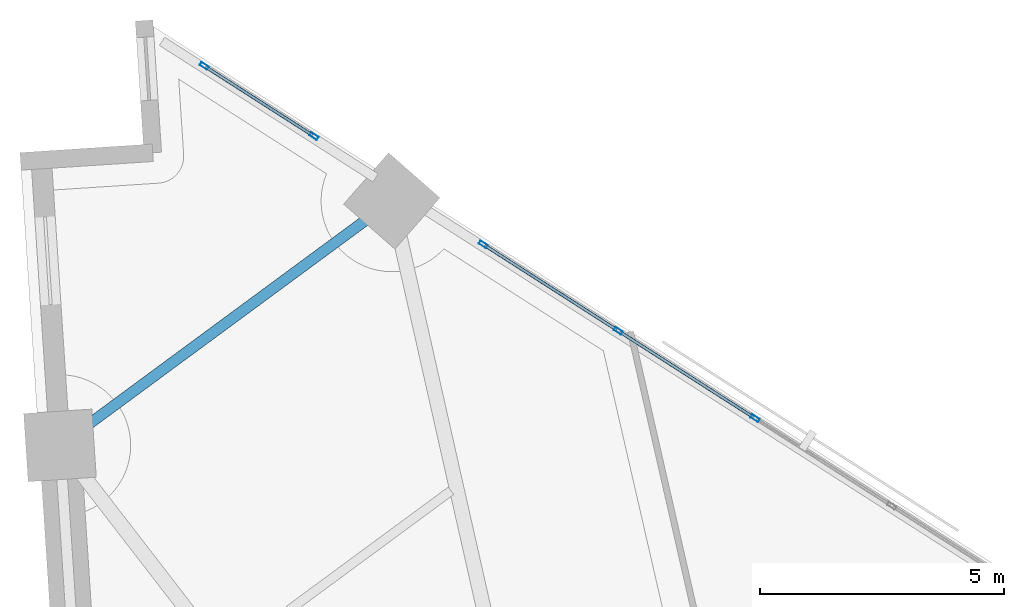
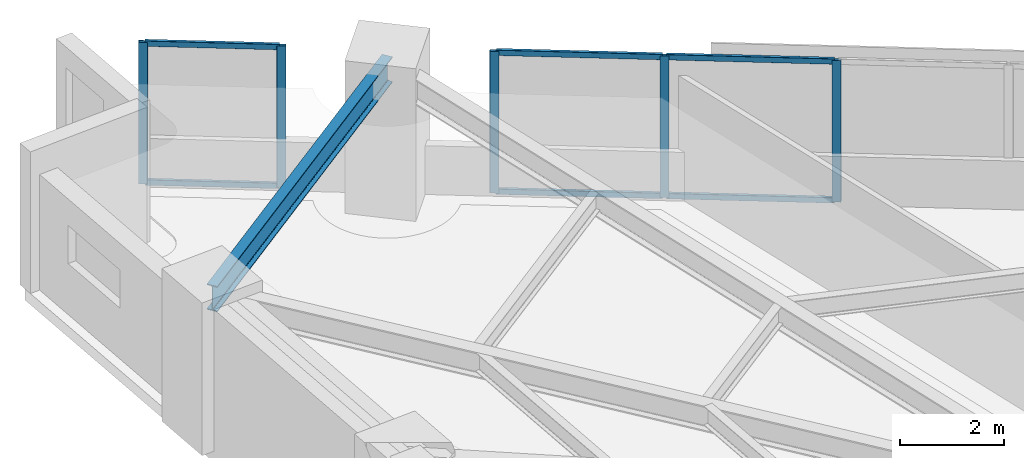
# One storey, part 8 of 15: 11 members, 1 beam, 2 elements without a shape of their own.
"""IFC4 building model written with IfcOpenShell, lengths in metres."""

from ifc_helpers import new_model, si_unit, direction, frame, origin, origin_2d, place, context, subcontext, project, spatial, hollow_rectangle, i_section, extrude, material, material_profile, profile_set, type_object, element, aggregate, save


model = new_model("IFC4")

# Units and contexts
model_context = context("Model", 3, precision=1e-05, world=origin(), true_north=direction((0.0, 1.0)))
body_context = subcontext(model_context, "Body", "Model", "MODEL_VIEW")
ifc_project = project(units=[si_unit("LENGTHUNIT", "METRE"), si_unit("AREAUNIT", "SQUARE_METRE"), si_unit("VOLUMEUNIT", "CUBIC_METRE"), si_unit("PLANEANGLEUNIT", "RADIAN"), si_unit("MASSUNIT", "GRAM", prefix="KILO")], contexts=[model_context])

# Site, building, storey
site_placement = place(None, origin())
site = spatial("IfcSite", under=ifc_project, at=site_placement, CompositionType="ELEMENT")
building_placement = place(site_placement, origin())
building = spatial("IfcBuilding", under=site, at=building_placement, Name="Narakoshi Arena Tower", CompositionType="ELEMENT")
storey_placement = place(building_placement, frame((0.0, 0.0, 70.5)))
storey = spatial("IfcBuildingStorey", under=building, at=storey_placement, Name="L18", CompositionType="ELEMENT", Elevation=70.5)

# Beam
ifc_material_1 = material(Name="Structural steel S355J2", Category="steel")
ifc_material_profile_1 = material_profile(ifc_material_1, i_section(OverallWidth=0.219970703125, OverallDepth=0.60009765625, WebThickness=0.011962890625, FlangeThickness=0.01904296875, FilletRadius=0.02392578125, at=origin_2d()), Name="IPE600")
ifc_profile_set_1 = profile_set([ifc_material_profile_1], Name="Structural steel S355J2")
beam_type = type_object("IfcBeamType", Name="BM-EDGE-600", PredefinedType="BEAM", material=ifc_profile_set_1)
beam_placement = place(storey_placement, frame((67.58984375, 76.04345703125, 3.0400390625), z_axis=(-0.805132069621, -0.59309556605, 0.0), x_axis=(0.59309556605, -0.805132069621, 0.0)))
element("IfcBeam", 1, at=beam_placement, inside=storey, type_object=beam_type, Name="L18 Perimeter Edge Girder 11", PredefinedType="BEAM", context=body_context, shape_type="SweptSolid", body=[
    extrude(i_section(OverallWidth=0.219970703125, OverallDepth=0.60009765625, WebThickness=0.011962890625, FlangeThickness=0.01904296875, FilletRadius=0.02392578125, at=origin_2d()), origin(), (0.0, 0.0, 1.0), 8.451416015625),
])

# Curtain wall, members
ifc_material_2 = material(Name="Anodised bronze aluminium 6063-T6", Category="aluminium")
curtain_wall_type = type_object("IfcCurtainWallType", Name="CW-HYP-LOW", PredefinedType="NOTDEFINED", material=ifc_material_2)
curtain_wall_1_placement = place(storey_placement, origin())
curtain_wall_1 = element("IfcCurtainWall", 2, at=curtain_wall_1_placement, inside=storey, type_object=curtain_wall_type, Name="L18 Folded Hypotenuse Curtain Wall 2-2", PredefinedType="NOTDEFINED")
ifc_material_profile_2 = material_profile(ifc_material_2, hollow_rectangle(XDim=0.074951171875, YDim=0.179931640625, WallThickness=0.00390625, OuterFilletRadius=0.0048828125, at=origin_2d()), Name="MUL180x75x4")
ifc_profile_set_2 = profile_set([ifc_material_profile_2], Name="Anodised bronze aluminium 6063-T6")
member_type_1 = type_object("IfcMemberType", Name="MEM-MUL-180", PredefinedType="MULLION", material=ifc_profile_set_2)
member_1_placement = place(storey_placement, frame((75.039794921875, 71.5869140625, 0.0), z_axis=(0.0, 0.0, 1.0), x_axis=(-0.538829098714, -0.842415100992, 0.0)))
member_1 = element("IfcMember", 3, at=member_1_placement, type_object=member_type_1, Name="CW-01 mullion 4", PredefinedType="MULLION", context=body_context, shape_type="SweptSolid", body=[
    extrude(hollow_rectangle(XDim=0.074951171875, YDim=0.179931640625, WallThickness=0.00390625, OuterFilletRadius=0.0048828125, at=origin_2d()), origin(), (0.0, 0.0, 1.0), 3.340087890625),
])
member_2_placement = place(storey_placement, frame((72.236083984375, 73.380126953125, 0.0), z_axis=(0.0, 0.0, 1.0), x_axis=(-0.538829098714, -0.842415100992, 0.0)))
member_2 = element("IfcMember", 4, at=member_2_placement, type_object=member_type_1, Name="CW-01 mullion 5", PredefinedType="MULLION", context=body_context, shape_type="SweptSolid", body=[
    extrude(hollow_rectangle(XDim=0.074951171875, YDim=0.179931640625, WallThickness=0.00390625, OuterFilletRadius=0.0048828125, at=origin_2d()), origin(), (0.0, 0.0, 1.0), 3.340087890625),
])
member_3_placement = place(storey_placement, frame((69.464111328125, 75.1533203125, 0.0), z_axis=(0.0, 0.0, 1.0), x_axis=(-0.538829098714, -0.842415100992, 0.0)))
member_3 = element("IfcMember", 5, at=member_3_placement, type_object=member_type_1, Name="CW-01 mullion 6", PredefinedType="MULLION", context=body_context, shape_type="SweptSolid", body=[
    extrude(hollow_rectangle(XDim=0.074951171875, YDim=0.179931640625, WallThickness=0.00390625, OuterFilletRadius=0.0048828125, at=origin_2d()), origin(), (0.0, 0.0, 1.0), 3.340087890625),
])

curtain_wall_2_placement = place(storey_placement, origin())
curtain_wall_2 = element("IfcCurtainWall", 6, at=curtain_wall_2_placement, inside=storey, type_object=curtain_wall_type, Name="L18 Folded Hypotenuse Curtain Wall 2-3", PredefinedType="NOTDEFINED")
member_4_placement = place(storey_placement, frame((65.99462890625, 77.372314453125, 0.0), z_axis=(0.0, 0.0, 1.0), x_axis=(-0.538841109017, -0.842407418791, 0.0)))
member_4 = element("IfcMember", 7, at=member_4_placement, type_object=member_type_1, Name="CW-01 mullion 1", PredefinedType="MULLION", context=body_context, shape_type="SweptSolid", body=[
    extrude(hollow_rectangle(XDim=0.074951171875, YDim=0.179931640625, WallThickness=0.00390625, OuterFilletRadius=0.0048828125, at=origin_2d()), origin(), (0.0, 0.0, 1.0), 3.340087890625),
])
member_5_placement = place(storey_placement, frame((63.7412109375, 78.813720703125, 0.0), z_axis=(0.0, 0.0, 1.0), x_axis=(-0.538841109017, -0.842407418791, 0.0)))
member_5 = element("IfcMember", 8, at=member_5_placement, type_object=member_type_1, Name="CW-01 mullion 2", PredefinedType="MULLION", context=body_context, shape_type="SweptSolid", body=[
    extrude(hollow_rectangle(XDim=0.074951171875, YDim=0.179931640625, WallThickness=0.00390625, OuterFilletRadius=0.0048828125, at=origin_2d()), origin(), (0.0, 0.0, 1.0), 3.340087890625),
])

# Member
ifc_material_profile_3 = material_profile(ifc_material_2, hollow_rectangle(XDim=0.06494140625, YDim=0.1298828125, WallThickness=0.00390625, OuterFilletRadius=0.0048828125, at=origin_2d()), Name="TRN130x65x4")
ifc_profile_set_3 = profile_set([ifc_material_profile_3], Name="Anodised bronze aluminium 6063-T6")
member_type_2 = type_object("IfcMemberType", Name="MEM-TRN-130", PredefinedType="USERDEFINED", material=ifc_profile_set_3)
member_6_placement = place(storey_placement, frame((75.00830078125, 71.60693359375, 0.032470703125), z_axis=(-0.842407668774, 0.5388407182, 0.0), x_axis=(-0.5388407182, -0.842407668774, 0.0)))
member_6 = element("IfcMember", 9, at=member_6_placement, type_object=member_type_2, Name="CW-01 transom 4.1", ObjectType="TRANSOM", PredefinedType="USERDEFINED", context=body_context, shape_type="SweptSolid", body=[
    extrude(hollow_rectangle(XDim=0.06494140625, YDim=0.1298828125, WallThickness=0.00390625, OuterFilletRadius=0.0048828125, at=origin_2d()), origin(), (0.0, 0.0, 1.0), 3.253173828125),
])

member_7_placement = place(storey_placement, frame((75.00830078125, 71.60693359375, 3.3076171875), z_axis=(-0.842407668774, 0.5388407182, 0.0), x_axis=(-0.5388407182, -0.842407668774, 0.0)))
member_7 = element("IfcMember", 10, at=member_7_placement, type_object=member_type_2, Name="CW-01 transom 4.2", ObjectType="TRANSOM", PredefinedType="USERDEFINED", context=body_context, shape_type="SweptSolid", body=[
    extrude(hollow_rectangle(XDim=0.06494140625, YDim=0.1298828125, WallThickness=0.00390625, OuterFilletRadius=0.0048828125, at=origin_2d()), origin(), (0.0, 0.0, 1.0), 3.253173828125),
])

member_8_placement = place(storey_placement, frame((72.20458984375, 73.400390625, 0.032470703125), z_axis=(-0.842424416084, 0.538814535053, 0.0), x_axis=(-0.538814535053, -0.842424416084, 0.0)))
member_8 = element("IfcMember", 11, at=member_8_placement, type_object=member_type_2, Name="CW-01 transom 5.1", ObjectType="TRANSOM", PredefinedType="USERDEFINED", context=body_context, shape_type="SweptSolid", body=[
    extrude(hollow_rectangle(XDim=0.06494140625, YDim=0.1298828125, WallThickness=0.00390625, OuterFilletRadius=0.0048828125, at=origin_2d()), origin(), (0.0, 0.0, 1.0), 3.2158203125),
])

member_9_placement = place(storey_placement, frame((72.20458984375, 73.400390625, 3.3076171875), z_axis=(-0.842424416084, 0.538814535053, 0.0), x_axis=(-0.538814535053, -0.842424416084, 0.0)))
member_9 = element("IfcMember", 12, at=member_9_placement, type_object=member_type_2, Name="CW-01 transom 5.2", ObjectType="TRANSOM", PredefinedType="USERDEFINED", context=body_context, shape_type="SweptSolid", body=[
    extrude(hollow_rectangle(XDim=0.06494140625, YDim=0.1298828125, WallThickness=0.00390625, OuterFilletRadius=0.0048828125, at=origin_2d()), origin(), (0.0, 0.0, 1.0), 3.2158203125),
])

aggregate(curtain_wall_1, [member_1, member_2, member_3, member_6, member_7, member_8, member_9])

member_10_placement = place(storey_placement, frame((65.963134765625, 77.392578125, 0.032470703125), z_axis=(-0.84237541022, 0.538891146946, 0.0), x_axis=(-0.538891146946, -0.84237541022, 0.0)))
member_10 = element("IfcMember", 13, at=member_10_placement, type_object=member_type_2, Name="CW-01 transom 1.1", ObjectType="TRANSOM", PredefinedType="USERDEFINED", context=body_context, shape_type="SweptSolid", body=[
    extrude(hollow_rectangle(XDim=0.06494140625, YDim=0.1298828125, WallThickness=0.00390625, OuterFilletRadius=0.0048828125, at=origin_2d()), origin(), (0.0, 0.0, 1.0), 2.60009765625),
])

member_11_placement = place(storey_placement, frame((65.963134765625, 77.392578125, 3.3076171875), z_axis=(-0.84237541022, 0.538891146946, 0.0), x_axis=(-0.538891146946, -0.84237541022, 0.0)))
member_11 = element("IfcMember", 14, at=member_11_placement, type_object=member_type_2, Name="CW-01 transom 1.2", ObjectType="TRANSOM", PredefinedType="USERDEFINED", context=body_context, shape_type="SweptSolid", body=[
    extrude(hollow_rectangle(XDim=0.06494140625, YDim=0.1298828125, WallThickness=0.00390625, OuterFilletRadius=0.0048828125, at=origin_2d()), origin(), (0.0, 0.0, 1.0), 2.60009765625),
])

aggregate(curtain_wall_2, [member_4, member_5, member_10, member_11])

save(model, "model.ifc")
